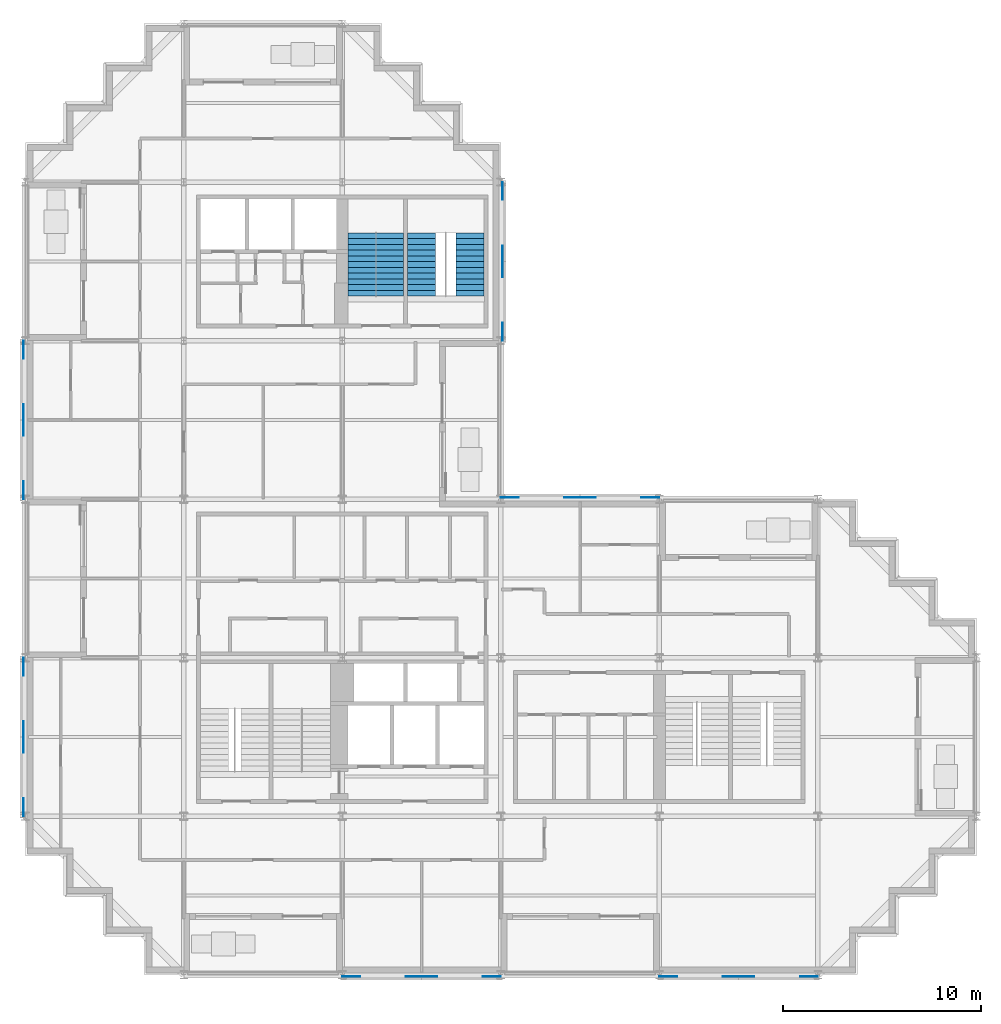
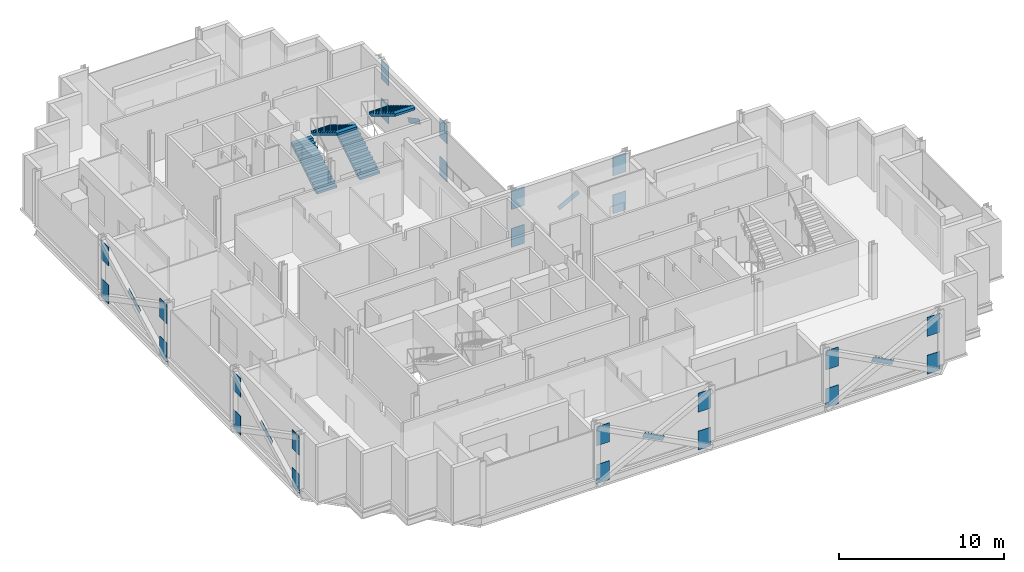
# One storey, part 10 of 13: 30 discrete accessories, 4 stair flights, 2 elements without a shape of their own.
"""IFC4 building model written with IfcOpenShell, lengths in metres."""

from ifc_helpers import new_model, si_unit, direction, frame, origin, origin_2d, place, context, subcontext, project, spatial, polyline, rectangle, outline, extrude, material, material_profile, profile_set, type_object, element, aggregate, save


model = new_model("IFC4")

# Units and contexts
model_context = context("Model", 3, precision=1e-05, world=origin(), true_north=direction((0.0, 1.0)))
body_context = subcontext(model_context, "Body", "Model", "MODEL_VIEW")
ifc_project = project(units=[si_unit("LENGTHUNIT", "METRE"), si_unit("AREAUNIT", "SQUARE_METRE"), si_unit("VOLUMEUNIT", "CUBIC_METRE"), si_unit("PLANEANGLEUNIT", "RADIAN"), si_unit("MASSUNIT", "GRAM", prefix="KILO")], contexts=[model_context])

# Site, building, storey
site_placement = place(None, origin())
site = spatial("IfcSite", under=ifc_project, at=site_placement, CompositionType="ELEMENT")
building_placement = place(site_placement, origin())
building = spatial("IfcBuilding", under=site, at=building_placement, Name="Immortelle Media Tower", CompositionType="ELEMENT")
storey_placement = place(building_placement, frame((0.0, 0.0, 166.199951171875)))
storey = spatial("IfcBuildingStorey", under=building, at=storey_placement, Name="L34", CompositionType="ELEMENT", Elevation=166.199951171875)

# Stair, stair flights
ifc_material_1 = material(Name="Steel ASTM A992 Gr 50", Category="steel")
stair_type = type_object("IfcStairType", Name="Stair with flights", PredefinedType="DOUBLE_RETURN_STAIR", material=ifc_material_1)
stair_1_placement = place(storey_placement, origin())
stair_1 = element("IfcStair", 1, at=stair_1_placement, inside=storey, type_object=stair_type, Name="Exit stair NW1", PredefinedType="DOUBLE_RETURN_STAIR")
stair_flight_type = type_object("IfcStairFlightType", Name="Stair flight 1400", PredefinedType="STRAIGHT", material=ifc_material_1)
stair_flight_1_placement = place(storey_placement, frame((17.0, 34.25, 0.0), z_axis=(0.0, 0.0, 1.0), x_axis=(0.0, 1.0, 0.0)))
stair_flight_1 = element("IfcStairFlight", 2, at=stair_flight_1_placement, type_object=stair_flight_type, Name="ST NW1 flight 1", NumberOfRisers=12, NumberOfTreads=11, PredefinedType="STRAIGHT", RiserHeight=0.175, TreadLength=0.29, context=body_context, shape_type="SweptSolid", body=[
    extrude(outline(polyline([(0.0, 0.0), (0.0, 0.175048828125), (0.2900390625, 0.175048828125), (0.2900390625, 0.35009765625), (0.580078125, 0.35009765625), (0.580078125, 0.52490234375), (0.8701171875, 0.52490234375), (0.8701171875, 0.699951171875), (1.159912109375, 0.699951171875), (1.159912109375, 0.875), (1.449951171875, 0.875), (1.449951171875, 1.050048828125), (1.739990234375, 1.050048828125), (1.739990234375, 1.22509765625), (2.030029296875, 1.22509765625), (2.030029296875, 1.39990234375), (2.320068359375, 1.39990234375), (2.320068359375, 1.574951171875), (2.610107421875, 1.574951171875), (2.610107421875, 1.75), (2.89990234375, 1.75), (2.89990234375, 1.925048828125), (3.18994140625, 1.925048828125), (3.18994140625, 2.10009765625), (3.18994140625, 1.75), (0.2900390625, 0.0), (0.0, 0.0)])), frame((0.0, 0.699951171875, 0.0), z_axis=(0.0, -1.0, 0.0), x_axis=(1.0, 0.0, 0.0)), (0.0, 0.0, 1.0), 1.39990234375),
])
stair_flight_2_placement = place(storey_placement, frame((18.39990234375, 37.43994140625, 2.10009765625), z_axis=(0.0, 0.0, 1.0), x_axis=(0.0, -1.0, 0.0)))
stair_flight_2 = element("IfcStairFlight", 3, at=stair_flight_2_placement, type_object=stair_flight_type, Name="ST NW1 flight 2", NumberOfRisers=12, NumberOfTreads=11, PredefinedType="STRAIGHT", RiserHeight=0.175, TreadLength=0.29, context=body_context, shape_type="SweptSolid", body=[
    extrude(outline(polyline([(0.0, 0.0), (0.0, 0.175048828125), (0.2900390625, 0.175048828125), (0.2900390625, 0.35009765625), (0.580078125, 0.35009765625), (0.580078125, 0.52490234375), (0.8701171875, 0.52490234375), (0.8701171875, 0.699951171875), (1.159912109375, 0.699951171875), (1.159912109375, 0.875), (1.449951171875, 0.875), (1.449951171875, 1.050048828125), (1.739990234375, 1.050048828125), (1.739990234375, 1.22509765625), (2.030029296875, 1.22509765625), (2.030029296875, 1.39990234375), (2.320068359375, 1.39990234375), (2.320068359375, 1.574951171875), (2.610107421875, 1.574951171875), (2.610107421875, 1.75), (2.89990234375, 1.75), (2.89990234375, 1.925048828125), (3.18994140625, 1.925048828125), (3.18994140625, 2.10009765625), (3.18994140625, 1.75), (0.2900390625, 0.0), (0.0, 0.0)])), frame((0.0, 0.699951171875, 0.0), z_axis=(0.0, -1.0, 0.0), x_axis=(1.0, 0.0, 0.0)), (0.0, 0.0, 1.0), 1.39990234375),
])
aggregate(stair_1, [stair_flight_1, stair_flight_2])

stair_2_placement = place(storey_placement, origin())
stair_2 = element("IfcStair", 4, at=stair_2_placement, inside=storey, type_object=stair_type, Name="Exit stair NW2", PredefinedType="DOUBLE_RETURN_STAIR")
stair_flight_3_placement = place(storey_placement, frame((20.0, 34.25, 0.0), z_axis=(0.0, 0.0, 1.0), x_axis=(0.0, 1.0, 0.0)))
stair_flight_3 = element("IfcStairFlight", 5, at=stair_flight_3_placement, type_object=stair_flight_type, Name="ST NW2 flight 1", NumberOfRisers=12, NumberOfTreads=11, PredefinedType="STRAIGHT", RiserHeight=0.175, TreadLength=0.29, context=body_context, shape_type="SweptSolid", body=[
    extrude(outline(polyline([(0.0, 0.0), (0.0, 0.175048828125), (0.2900390625, 0.175048828125), (0.2900390625, 0.35009765625), (0.580078125, 0.35009765625), (0.580078125, 0.52490234375), (0.8701171875, 0.52490234375), (0.8701171875, 0.699951171875), (1.159912109375, 0.699951171875), (1.159912109375, 0.875), (1.449951171875, 0.875), (1.449951171875, 1.050048828125), (1.739990234375, 1.050048828125), (1.739990234375, 1.22509765625), (2.030029296875, 1.22509765625), (2.030029296875, 1.39990234375), (2.320068359375, 1.39990234375), (2.320068359375, 1.574951171875), (2.610107421875, 1.574951171875), (2.610107421875, 1.75), (2.89990234375, 1.75), (2.89990234375, 1.925048828125), (3.18994140625, 1.925048828125), (3.18994140625, 2.10009765625), (3.18994140625, 1.75), (0.2900390625, 0.0), (0.0, 0.0)])), frame((0.0, 0.699951171875, 0.0), z_axis=(0.0, -1.0, 0.0), x_axis=(1.0, 0.0, 0.0)), (0.0, 0.0, 1.0), 1.39990234375),
])
stair_flight_4_placement = place(storey_placement, frame((22.449951171875, 37.43994140625, 2.10009765625), z_axis=(0.0, 0.0, 1.0), x_axis=(0.0, -1.0, 0.0)))
stair_flight_4 = element("IfcStairFlight", 6, at=stair_flight_4_placement, type_object=stair_flight_type, Name="ST NW2 flight 2", NumberOfRisers=12, NumberOfTreads=11, PredefinedType="STRAIGHT", RiserHeight=0.175, TreadLength=0.29, context=body_context, shape_type="SweptSolid", body=[
    extrude(outline(polyline([(0.0, 0.0), (0.0, 0.175048828125), (0.2900390625, 0.175048828125), (0.2900390625, 0.35009765625), (0.580078125, 0.35009765625), (0.580078125, 0.52490234375), (0.8701171875, 0.52490234375), (0.8701171875, 0.699951171875), (1.159912109375, 0.699951171875), (1.159912109375, 0.875), (1.449951171875, 0.875), (1.449951171875, 1.050048828125), (1.739990234375, 1.050048828125), (1.739990234375, 1.22509765625), (2.030029296875, 1.22509765625), (2.030029296875, 1.39990234375), (2.320068359375, 1.39990234375), (2.320068359375, 1.574951171875), (2.610107421875, 1.574951171875), (2.610107421875, 1.75), (2.89990234375, 1.75), (2.89990234375, 1.925048828125), (3.18994140625, 1.925048828125), (3.18994140625, 2.10009765625), (3.18994140625, 1.75), (0.2900390625, 0.0), (0.0, 0.0)])), frame((0.0, 0.699951171875, 0.0), z_axis=(0.0, -1.0, 0.0), x_axis=(1.0, 0.0, 0.0)), (0.0, 0.0, 1.0), 1.39990234375),
])
aggregate(stair_2, [stair_flight_3, stair_flight_4])

# Discrete accessories
ifc_material_2 = material(Name="Steel ASTM A572 Gr 50", Category="steel")
ifc_material_profile_1 = material_profile(ifc_material_2, rectangle(XDim=0.02392578125, YDim=0.35595703125, at=origin_2d()), Name="PL 24 x 356")
ifc_profile_set_1 = profile_set([ifc_material_profile_1], Name="Steel ASTM A572 Gr 50")
discrete_accessory_type_1 = type_object("IfcDiscreteAccessoryType", Name="Crossing plate XP-BR5 1600 x 356 x 24", PredefinedType="USERDEFINED", material=ifc_profile_set_1)
for number, where, z_axis, x_axis, name in (
    (7, (28.708251953125, 24.087890625, 2.015869140625), (-0.885401043099, 0.0, -0.464827917491), (0.0, -1.0, 0.0), "Crossing plate XP-BR5 of Brace D/4-5 A and Brace D/4-5 B"),
    (8, (24.087890625, 35.291748046875, 2.015869140625), (0.0, 0.885401043099, -0.464827917491), (-1.0, 0.0, 0.0), "Crossing plate XP-BR5 of Brace 4/E-F A and Brace 4/E-F B"),
    (9, (-0.087890625, 28.708251953125, 2.015869140625), (0.0, -0.885401043099, -0.464827917491), (1.0, 0.0, 0.0), "Crossing plate XP-BR5 of Brace 1/D-E A and Brace 1/D-E B"),
    (10, (-0.087890625, 12.708251953125, 2.015869140625), (0.0, -0.885401043099, -0.464827917491), (1.0, 0.0, 0.0), "Crossing plate XP-BR5 of Brace 1/B-C A and Brace 1/B-C B"),
    (11, (19.291748046875, -0.087890625, 2.015869140625), (0.885401043099, 0.0, -0.464827917491), (0.0, 1.0, 0.0), "Crossing plate XP-BR5 of Brace A/3-4 A and Brace A/3-4 B"),
    (12, (35.291748046875, -0.087890625, 2.015869140625), (0.885401043099, 0.0, -0.464827917491), (0.0, 1.0, 0.0), "Crossing plate XP-BR5 of Brace A/5-6 A and Brace A/5-6 B"),
):
    element("IfcDiscreteAccessory", number, at=place(storey_placement, frame(where, z_axis=z_axis, x_axis=x_axis)), inside=storey, type_object=discrete_accessory_type_1, Name=name, ObjectType="CROSSING PLATE", PredefinedType="USERDEFINED", context=body_context, shape_type="SweptSolid", body=[
        extrude(rectangle(XDim=0.02392578125, YDim=0.35595703125, at=origin_2d()), origin(), (0.0, 0.0, 1.0), 1.599853515625),
    ])
ifc_material_profile_2 = material_profile(ifc_material_2, rectangle(XDim=0.031982421875, YDim=1.39990234375, at=origin_2d()), Name="PL 32 x 1400")
ifc_profile_set_2 = profile_set([ifc_material_profile_2], Name="Steel ASTM A572 Gr 50")
discrete_accessory_type_2 = type_object("IfcDiscreteAccessoryType", Name="Gusset plate GP1 900 x 1400 x 32", PredefinedType="USERDEFINED", material=ifc_profile_set_2)
for number, where, z_axis, x_axis, name in (
    (13, (16.0, -0.087890625, 0.244140625), (1.0, 0.0, 0.0), (0.0, 1.0, 0.0), "Gusset plate GP1, lower end of Brace A/3-4 A"),
    (14, (24.0, -0.087890625, 3.0439453125), (-1.0, 0.0, 0.0), (0.0, -1.0, 0.0), "Gusset plate GP1, upper end of Brace A/3-4 A"),
    (15, (24.0, -0.087890625, 0.244140625), (-1.0, 0.0, 0.0), (0.0, -1.0, 0.0), "Gusset plate GP1, lower end of Brace A/3-4 B"),
    (16, (16.0, -0.087890625, 3.0439453125), (1.0, 0.0, 0.0), (0.0, 1.0, 0.0), "Gusset plate GP1, upper end of Brace A/3-4 B"),
    (17, (32.0, -0.087890625, 0.244140625), (1.0, 0.0, 0.0), (0.0, 1.0, 0.0), "Gusset plate GP1, lower end of Brace A/5-6 A"),
    (18, (40.0, -0.087890625, 3.0439453125), (-1.0, 0.0, 0.0), (0.0, -1.0, 0.0), "Gusset plate GP1, upper end of Brace A/5-6 A"),
    (19, (40.0, -0.087890625, 0.244140625), (-1.0, 0.0, 0.0), (0.0, -1.0, 0.0), "Gusset plate GP1, lower end of Brace A/5-6 B"),
    (20, (32.0, -0.087890625, 3.0439453125), (1.0, 0.0, 0.0), (0.0, 1.0, 0.0), "Gusset plate GP1, upper end of Brace A/5-6 B"),
    (21, (32.0, 24.087890625, 0.244140625), (-1.0, 0.0, 0.0), (0.0, -1.0, 0.0), "Gusset plate GP1, lower end of Brace D/4-5 A"),
    (22, (24.0, 24.087890625, 3.0439453125), (1.0, 0.0, 0.0), (0.0, 1.0, 0.0), "Gusset plate GP1, upper end of Brace D/4-5 A"),
    (23, (24.0, 24.087890625, 0.244140625), (1.0, 0.0, 0.0), (0.0, 1.0, 0.0), "Gusset plate GP1, lower end of Brace D/4-5 B"),
    (24, (32.0, 24.087890625, 3.0439453125), (-1.0, 0.0, 0.0), (0.0, -1.0, 0.0), "Gusset plate GP1, upper end of Brace D/4-5 B"),
    (25, (24.087890625, 32.0, 0.244140625), (0.0, 1.0, 0.0), (-1.0, 0.0, 0.0), "Gusset plate GP1, lower end of Brace 4/E-F A"),
    (26, (24.087890625, 40.0, 3.0439453125), (0.0, -1.0, 0.0), (1.0, 0.0, 0.0), "Gusset plate GP1, upper end of Brace 4/E-F A"),
    (27, (24.087890625, 40.0, 0.244140625), (0.0, -1.0, 0.0), (1.0, 0.0, 0.0), "Gusset plate GP1, lower end of Brace 4/E-F B"),
    (28, (24.087890625, 32.0, 3.0439453125), (0.0, 1.0, 0.0), (-1.0, 0.0, 0.0), "Gusset plate GP1, upper end of Brace 4/E-F B"),
    (29, (-0.087890625, 32.0, 0.244140625), (0.0, -1.0, 0.0), (1.0, 0.0, 0.0), "Gusset plate GP1, lower end of Brace 1/D-E A"),
    (30, (-0.087890625, 24.0, 3.0439453125), (0.0, 1.0, 0.0), (-1.0, 0.0, 0.0), "Gusset plate GP1, upper end of Brace 1/D-E A"),
    (31, (-0.087890625, 24.0, 0.244140625), (0.0, 1.0, 0.0), (-1.0, 0.0, 0.0), "Gusset plate GP1, lower end of Brace 1/D-E B"),
    (32, (-0.087890625, 32.0, 3.0439453125), (0.0, -1.0, 0.0), (1.0, 0.0, 0.0), "Gusset plate GP1, upper end of Brace 1/D-E B"),
    (33, (-0.087890625, 16.0, 0.244140625), (0.0, -1.0, 0.0), (1.0, 0.0, 0.0), "Gusset plate GP1, lower end of Brace 1/B-C A"),
    (34, (-0.087890625, 8.0, 3.0439453125), (0.0, 1.0, 0.0), (-1.0, 0.0, 0.0), "Gusset plate GP1, upper end of Brace 1/B-C A"),
    (35, (-0.087890625, 8.0, 0.244140625), (0.0, 1.0, 0.0), (-1.0, 0.0, 0.0), "Gusset plate GP1, lower end of Brace 1/B-C B"),
    (36, (-0.087890625, 16.0, 3.0439453125), (0.0, -1.0, 0.0), (1.0, 0.0, 0.0), "Gusset plate GP1, upper end of Brace 1/B-C B"),
):
    element("IfcDiscreteAccessory", number, at=place(storey_placement, frame(where, z_axis=z_axis, x_axis=x_axis)), inside=storey, type_object=discrete_accessory_type_2, Name=name, ObjectType="GUSSET PLATE", PredefinedType="USERDEFINED", context=body_context, shape_type="SweptSolid", body=[
        extrude(rectangle(XDim=0.031982421875, YDim=1.39990234375, at=origin_2d()), origin(), (0.0, 0.0, 1.0), 0.89990234375),
    ])

save(model, "model.ifc")
